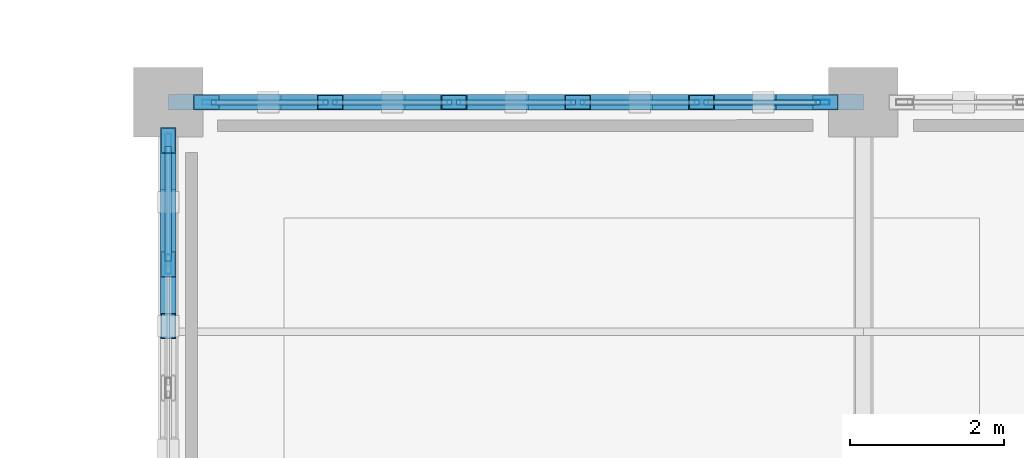
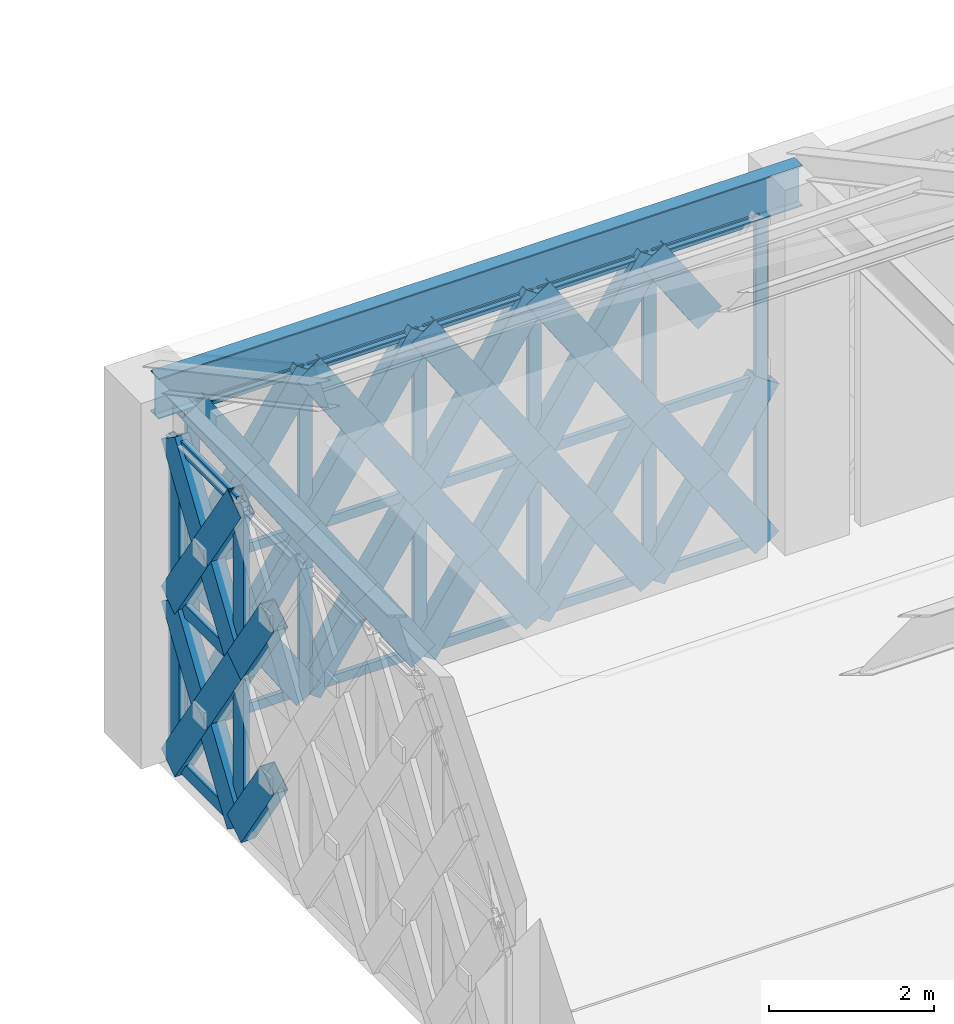
# One storey, part 60 of 166: 62 members, 1 beam, 2 elements without a shape of their own.
"""IFC4 building model written with IfcOpenShell, lengths in metres."""

from ifc_helpers import new_model, si_unit, direction, frame, origin, origin_2d, place, context, subcontext, project, spatial, hollow_rectangle, i_section, extrude, material, material_profile, profile_set, type_object, element, aggregate, save


model = new_model("IFC4")

# Units and contexts
model_context = context("Model", 3, precision=1e-05, world=origin(), true_north=direction((0.0, 1.0)))
body_context = subcontext(model_context, "Body", "Model", "MODEL_VIEW")
ifc_project = project(units=[si_unit("LENGTHUNIT", "METRE"), si_unit("AREAUNIT", "SQUARE_METRE"), si_unit("VOLUMEUNIT", "CUBIC_METRE"), si_unit("PLANEANGLEUNIT", "RADIAN"), si_unit("MASSUNIT", "GRAM", prefix="KILO")], contexts=[model_context])

# Site, building, storey
site_placement = place(None, origin())
site = spatial("IfcSite", under=ifc_project, at=site_placement, CompositionType="ELEMENT")
building_placement = place(site_placement, origin())
building = spatial("IfcBuilding", under=site, at=building_placement, Name="Haizhuo Lancet Aquarium", CompositionType="ELEMENT")
storey_placement = place(building_placement, frame((0.0, 0.0, 5.39990234375)))
storey = spatial("IfcBuildingStorey", under=building, at=storey_placement, Name="L01", CompositionType="ELEMENT", Elevation=5.39990234375)

# Beam
ifc_material_1 = material(Name="Steel S355", Category="steel")
ifc_material_profile_1 = material_profile(ifc_material_1, i_section(OverallWidth=0.199951171875, OverallDepth=0.60009765625, WebThickness=0.010986328125, FlangeThickness=0.01708984375, FilletRadius=0.02197265625, at=origin_2d()), Name="HN 600x200x11x17")
ifc_profile_set_1 = profile_set([ifc_material_profile_1], Name="Steel S355")
beam_type = type_object("IfcBeamType", Name="BM-ST-HN600", PredefinedType="BEAM", material=ifc_profile_set_1)
beam_placement = place(storey_placement, frame((-72.0, 27.0, 5.10009765625), z_axis=(1.0, 0.0, 0.0), x_axis=(0.0, 1.0, 0.0)))
element("IfcBeam", 1, at=beam_placement, inside=storey, type_object=beam_type, Name="L01 V2 primary girder BM-L01-V2-008", PredefinedType="BEAM", context=body_context, shape_type="SweptSolid", body=[
    extrude(i_section(OverallWidth=0.199951171875, OverallDepth=0.60009765625, WebThickness=0.010986328125, FlangeThickness=0.01708984375, FilletRadius=0.02197265625, at=origin_2d()), origin(), (0.0, 0.0, 1.0), 9.0),
])

# Curtain wall, members
ifc_material_2 = material(Name="Aluminium 6063-T6", Category="aluminium")
curtain_wall_type = type_object("IfcCurtainWallType", Name="CWD-8010x4800", PredefinedType="NOTDEFINED", material=ifc_material_2)
curtain_wall_1_placement = place(storey_placement, origin())
curtain_wall_1 = element("IfcCurtainWall", 2, at=curtain_wall_1_placement, inside=storey, type_object=curtain_wall_type, Name="L01 curtain wall CW-V2-L01-022", PredefinedType="NOTDEFINED")
ifc_material_profile_2 = material_profile(ifc_material_2, hollow_rectangle(XDim=0.06494140625, YDim=0.179931640625, WallThickness=0.00390625, at=origin_2d()), Name="ALU-M 65x180x4")
ifc_profile_set_2 = profile_set([ifc_material_profile_2], Name="Aluminium 6063-T6")
member_type_1 = type_object("IfcMemberType", Name="CW-MUL-1", PredefinedType="MULLION", material=ifc_profile_set_2)
member_1_placement = place(storey_placement, frame((-71.471923828125, 27.0, 0.0), z_axis=(0.0, 0.0, 1.0), x_axis=(0.0, 1.0, 0.0)))
member_1 = element("IfcMember", 3, at=member_1_placement, type_object=member_type_1, Name="CWD-80x48 mullion 1", PredefinedType="MULLION", context=body_context, shape_type="SweptSolid", body=[
    extrude(hollow_rectangle(XDim=0.06494140625, YDim=0.179931640625, WallThickness=0.00390625, at=origin_2d()), origin(), (0.0, 0.0, 1.0), 4.800048828125),
])
member_2_placement = place(storey_placement, frame((-69.903076171875, 27.0, 0.0), z_axis=(0.0, 0.0, 1.0), x_axis=(0.0, 1.0, 0.0)))
member_2 = element("IfcMember", 4, at=member_2_placement, type_object=member_type_1, Name="CWD-80x48 mullion 2", PredefinedType="MULLION", context=body_context, shape_type="SweptSolid", body=[
    extrude(hollow_rectangle(XDim=0.06494140625, YDim=0.179931640625, WallThickness=0.00390625, at=origin_2d()), origin(), (0.0, 0.0, 1.0), 4.800048828125),
])
member_3_placement = place(storey_placement, frame((-68.301025390625, 27.0, 0.0), z_axis=(0.0, 0.0, 1.0), x_axis=(0.0, 1.0, 0.0)))
member_3 = element("IfcMember", 5, at=member_3_placement, type_object=member_type_1, Name="CWD-80x48 mullion 3", PredefinedType="MULLION", context=body_context, shape_type="SweptSolid", body=[
    extrude(hollow_rectangle(XDim=0.06494140625, YDim=0.179931640625, WallThickness=0.00390625, at=origin_2d()), origin(), (0.0, 0.0, 1.0), 4.800048828125),
])
member_4_placement = place(storey_placement, frame((-66.698974609375, 27.0, 0.0), z_axis=(0.0, 0.0, 1.0), x_axis=(0.0, 1.0, 0.0)))
member_4 = element("IfcMember", 6, at=member_4_placement, type_object=member_type_1, Name="CWD-80x48 mullion 4", PredefinedType="MULLION", context=body_context, shape_type="SweptSolid", body=[
    extrude(hollow_rectangle(XDim=0.06494140625, YDim=0.179931640625, WallThickness=0.00390625, at=origin_2d()), origin(), (0.0, 0.0, 1.0), 4.800048828125),
])
member_5_placement = place(storey_placement, frame((-65.096923828125, 27.0, 0.0), z_axis=(0.0, 0.0, 1.0), x_axis=(0.0, 1.0, 0.0)))
member_5 = element("IfcMember", 7, at=member_5_placement, type_object=member_type_1, Name="CWD-80x48 mullion 5", PredefinedType="MULLION", context=body_context, shape_type="SweptSolid", body=[
    extrude(hollow_rectangle(XDim=0.06494140625, YDim=0.179931640625, WallThickness=0.00390625, at=origin_2d()), origin(), (0.0, 0.0, 1.0), 4.800048828125),
])
member_6_placement = place(storey_placement, frame((-63.527099609375, 27.0, 0.0), z_axis=(0.0, 0.0, 1.0), x_axis=(0.0, 1.0, 0.0)))
member_6 = element("IfcMember", 8, at=member_6_placement, type_object=member_type_1, Name="CWD-80x48 mullion 6", PredefinedType="MULLION", context=body_context, shape_type="SweptSolid", body=[
    extrude(hollow_rectangle(XDim=0.06494140625, YDim=0.179931640625, WallThickness=0.00390625, at=origin_2d()), origin(), (0.0, 0.0, 1.0), 4.800048828125),
])

curtain_wall_2_placement = place(storey_placement, origin())
curtain_wall_2 = element("IfcCurtainWall", 9, at=curtain_wall_2_placement, inside=storey, type_object=curtain_wall_type, Name="L01 curtain wall CW-V2-L01-021", PredefinedType="NOTDEFINED")
ifc_material_profile_3 = material_profile(ifc_material_2, hollow_rectangle(XDim=0.080078125, YDim=0.260009765625, WallThickness=0.0048828125, at=origin_2d()), Name="ALU-M 80x260x5")
ifc_profile_set_3 = profile_set([ifc_material_profile_3], Name="Aluminium 6063-T6")
member_type_2 = type_object("IfcMemberType", Name="CW-MUL-3", PredefinedType="MULLION", material=ifc_profile_set_3)
member_7_placement = place(storey_placement, frame((-72.0, 24.903076171875, 0.0), z_axis=(0.0, 0.0, 1.0), x_axis=(-1.0, 0.0, 0.0)))
member_7 = element("IfcMember", 10, at=member_7_placement, type_object=member_type_2, Name="CWD-80x48 mullion 5", PredefinedType="MULLION", context=body_context, shape_type="SweptSolid", body=[
    extrude(hollow_rectangle(XDim=0.080078125, YDim=0.260009765625, WallThickness=0.0048828125, at=origin_2d()), origin(), (0.0, 0.0, 1.0), 4.800048828125),
])
member_8_placement = place(storey_placement, frame((-72.0, 26.465087890625, 0.0), z_axis=(0.0, 0.0, 1.0), x_axis=(-1.0, 0.0, 0.0)))
member_8 = element("IfcMember", 11, at=member_8_placement, type_object=member_type_2, Name="CWD-80x48 mullion 6", PredefinedType="MULLION", context=body_context, shape_type="SweptSolid", body=[
    extrude(hollow_rectangle(XDim=0.080078125, YDim=0.260009765625, WallThickness=0.0048828125, at=origin_2d()), origin(), (0.0, 0.0, 1.0), 4.800048828125),
])

# Member
ifc_material_profile_4 = material_profile(ifc_material_2, hollow_rectangle(XDim=0.06494140625, YDim=0.139892578125, WallThickness=0.00390625, at=origin_2d()), Name="ALU-T 65x140x4")
ifc_profile_set_4 = profile_set([ifc_material_profile_4], Name="Aluminium 6063-T6")
member_type_3 = type_object("IfcMemberType", Name="CW-TRN-1", PredefinedType="NOTDEFINED", material=ifc_profile_set_4)
member_9_placement = place(storey_placement, frame((-71.43994140625, 27.0, 0.033203125), z_axis=(1.0, 0.0, 0.0), x_axis=(0.0, 1.0, 0.0)))
member_9 = element("IfcMember", 12, at=member_9_placement, type_object=member_type_3, Name="CWD-80x48 transom 1.1", ObjectType="TRANSOM", PredefinedType="USERDEFINED", context=body_context, shape_type="SweptSolid", body=[
    extrude(hollow_rectangle(XDim=0.06494140625, YDim=0.139892578125, WallThickness=0.00390625, at=origin_2d()), origin(), (0.0, 0.0, 1.0), 1.5048828125),
])

member_10_placement = place(storey_placement, frame((-71.43994140625, 27.0, 2.400146484375), z_axis=(1.0, 0.0, 0.0), x_axis=(0.0, 1.0, 0.0)))
member_10 = element("IfcMember", 13, at=member_10_placement, type_object=member_type_3, Name="CWD-80x48 transom 1.2", ObjectType="TRANSOM", PredefinedType="USERDEFINED", context=body_context, shape_type="SweptSolid", body=[
    extrude(hollow_rectangle(XDim=0.06494140625, YDim=0.139892578125, WallThickness=0.00390625, at=origin_2d()), origin(), (0.0, 0.0, 1.0), 1.5048828125),
])

member_11_placement = place(storey_placement, frame((-71.43994140625, 27.0, 4.76708984375), z_axis=(1.0, 0.0, 0.0), x_axis=(0.0, 1.0, 0.0)))
member_11 = element("IfcMember", 14, at=member_11_placement, type_object=member_type_3, Name="CWD-80x48 transom 1.3", ObjectType="TRANSOM", PredefinedType="USERDEFINED", context=body_context, shape_type="SweptSolid", body=[
    extrude(hollow_rectangle(XDim=0.06494140625, YDim=0.139892578125, WallThickness=0.00390625, at=origin_2d()), origin(), (0.0, 0.0, 1.0), 1.5048828125),
])

member_12_placement = place(storey_placement, frame((-69.8701171875, 27.0, 0.033203125), z_axis=(1.0, 0.0, 0.0), x_axis=(0.0, 1.0, 0.0)))
member_12 = element("IfcMember", 15, at=member_12_placement, type_object=member_type_3, Name="CWD-80x48 transom 2.1", ObjectType="TRANSOM", PredefinedType="USERDEFINED", context=body_context, shape_type="SweptSolid", body=[
    extrude(hollow_rectangle(XDim=0.06494140625, YDim=0.139892578125, WallThickness=0.00390625, at=origin_2d()), origin(), (0.0, 0.0, 1.0), 1.5361328125),
])

member_13_placement = place(storey_placement, frame((-69.8701171875, 27.0, 2.400146484375), z_axis=(1.0, 0.0, 0.0), x_axis=(0.0, 1.0, 0.0)))
member_13 = element("IfcMember", 16, at=member_13_placement, type_object=member_type_3, Name="CWD-80x48 transom 2.2", ObjectType="TRANSOM", PredefinedType="USERDEFINED", context=body_context, shape_type="SweptSolid", body=[
    extrude(hollow_rectangle(XDim=0.06494140625, YDim=0.139892578125, WallThickness=0.00390625, at=origin_2d()), origin(), (0.0, 0.0, 1.0), 1.5361328125),
])

member_14_placement = place(storey_placement, frame((-69.8701171875, 27.0, 4.76708984375), z_axis=(1.0, 0.0, 0.0), x_axis=(0.0, 1.0, 0.0)))
member_14 = element("IfcMember", 17, at=member_14_placement, type_object=member_type_3, Name="CWD-80x48 transom 2.3", ObjectType="TRANSOM", PredefinedType="USERDEFINED", context=body_context, shape_type="SweptSolid", body=[
    extrude(hollow_rectangle(XDim=0.06494140625, YDim=0.139892578125, WallThickness=0.00390625, at=origin_2d()), origin(), (0.0, 0.0, 1.0), 1.5361328125),
])

member_15_placement = place(storey_placement, frame((-68.26806640625, 27.0, 0.033203125), z_axis=(1.0, 0.0, 0.0), x_axis=(0.0, 1.0, 0.0)))
member_15 = element("IfcMember", 18, at=member_15_placement, type_object=member_type_3, Name="CWD-80x48 transom 3.1", ObjectType="TRANSOM", PredefinedType="USERDEFINED", context=body_context, shape_type="SweptSolid", body=[
    extrude(hollow_rectangle(XDim=0.06494140625, YDim=0.139892578125, WallThickness=0.00390625, at=origin_2d()), origin(), (0.0, 0.0, 1.0), 1.537109375),
])

member_16_placement = place(storey_placement, frame((-68.26806640625, 27.0, 2.400146484375), z_axis=(1.0, 0.0, 0.0), x_axis=(0.0, 1.0, 0.0)))
member_16 = element("IfcMember", 19, at=member_16_placement, type_object=member_type_3, Name="CWD-80x48 transom 3.2", ObjectType="TRANSOM", PredefinedType="USERDEFINED", context=body_context, shape_type="SweptSolid", body=[
    extrude(hollow_rectangle(XDim=0.06494140625, YDim=0.139892578125, WallThickness=0.00390625, at=origin_2d()), origin(), (0.0, 0.0, 1.0), 1.537109375),
])

member_17_placement = place(storey_placement, frame((-68.26806640625, 27.0, 4.76708984375), z_axis=(1.0, 0.0, 0.0), x_axis=(0.0, 1.0, 0.0)))
member_17 = element("IfcMember", 20, at=member_17_placement, type_object=member_type_3, Name="CWD-80x48 transom 3.3", ObjectType="TRANSOM", PredefinedType="USERDEFINED", context=body_context, shape_type="SweptSolid", body=[
    extrude(hollow_rectangle(XDim=0.06494140625, YDim=0.139892578125, WallThickness=0.00390625, at=origin_2d()), origin(), (0.0, 0.0, 1.0), 1.537109375),
])

member_18_placement = place(storey_placement, frame((-66.666015625, 27.0, 0.033203125), z_axis=(1.0, 0.0, 0.0), x_axis=(0.0, 1.0, 0.0)))
member_18 = element("IfcMember", 21, at=member_18_placement, type_object=member_type_3, Name="CWD-80x48 transom 4.1", ObjectType="TRANSOM", PredefinedType="USERDEFINED", context=body_context, shape_type="SweptSolid", body=[
    extrude(hollow_rectangle(XDim=0.06494140625, YDim=0.139892578125, WallThickness=0.00390625, at=origin_2d()), origin(), (0.0, 0.0, 1.0), 1.537109375),
])

member_19_placement = place(storey_placement, frame((-66.666015625, 27.0, 2.400146484375), z_axis=(1.0, 0.0, 0.0), x_axis=(0.0, 1.0, 0.0)))
member_19 = element("IfcMember", 22, at=member_19_placement, type_object=member_type_3, Name="CWD-80x48 transom 4.2", ObjectType="TRANSOM", PredefinedType="USERDEFINED", context=body_context, shape_type="SweptSolid", body=[
    extrude(hollow_rectangle(XDim=0.06494140625, YDim=0.139892578125, WallThickness=0.00390625, at=origin_2d()), origin(), (0.0, 0.0, 1.0), 1.537109375),
])

member_20_placement = place(storey_placement, frame((-66.666015625, 27.0, 4.76708984375), z_axis=(1.0, 0.0, 0.0), x_axis=(0.0, 1.0, 0.0)))
member_20 = element("IfcMember", 23, at=member_20_placement, type_object=member_type_3, Name="CWD-80x48 transom 4.3", ObjectType="TRANSOM", PredefinedType="USERDEFINED", context=body_context, shape_type="SweptSolid", body=[
    extrude(hollow_rectangle(XDim=0.06494140625, YDim=0.139892578125, WallThickness=0.00390625, at=origin_2d()), origin(), (0.0, 0.0, 1.0), 1.537109375),
])

member_21_placement = place(storey_placement, frame((-65.06396484375, 27.0, 0.033203125), z_axis=(1.0, 0.0, 0.0), x_axis=(0.0, 1.0, 0.0)))
member_21 = element("IfcMember", 24, at=member_21_placement, type_object=member_type_3, Name="CWD-80x48 transom 5.1", ObjectType="TRANSOM", PredefinedType="USERDEFINED", context=body_context, shape_type="SweptSolid", body=[
    extrude(hollow_rectangle(XDim=0.06494140625, YDim=0.139892578125, WallThickness=0.00390625, at=origin_2d()), origin(), (0.0, 0.0, 1.0), 1.50390625),
])

member_22_placement = place(storey_placement, frame((-65.06396484375, 27.0, 2.400146484375), z_axis=(1.0, 0.0, 0.0), x_axis=(0.0, 1.0, 0.0)))
member_22 = element("IfcMember", 25, at=member_22_placement, type_object=member_type_3, Name="CWD-80x48 transom 5.2", ObjectType="TRANSOM", PredefinedType="USERDEFINED", context=body_context, shape_type="SweptSolid", body=[
    extrude(hollow_rectangle(XDim=0.06494140625, YDim=0.139892578125, WallThickness=0.00390625, at=origin_2d()), origin(), (0.0, 0.0, 1.0), 1.50390625),
])

member_23_placement = place(storey_placement, frame((-65.06396484375, 27.0, 4.76708984375), z_axis=(1.0, 0.0, 0.0), x_axis=(0.0, 1.0, 0.0)))
member_23 = element("IfcMember", 26, at=member_23_placement, type_object=member_type_3, Name="CWD-80x48 transom 5.3", ObjectType="TRANSOM", PredefinedType="USERDEFINED", context=body_context, shape_type="SweptSolid", body=[
    extrude(hollow_rectangle(XDim=0.06494140625, YDim=0.139892578125, WallThickness=0.00390625, at=origin_2d()), origin(), (0.0, 0.0, 1.0), 1.50390625),
])

aggregate(curtain_wall_1, [member_1, member_2, member_3, member_4, member_5, member_6, member_9, member_10, member_11, member_12, member_13, member_14, member_15, member_16, member_17, member_18, member_19, member_20, member_21, member_22, member_23])

ifc_material_profile_5 = material_profile(ifc_material_2, hollow_rectangle(XDim=0.080078125, YDim=0.18994140625, WallThickness=0.0048828125, at=origin_2d()), Name="ALU-T 80x190x5")
ifc_profile_set_5 = profile_set([ifc_material_profile_5], Name="Aluminium 6063-T6")
member_type_4 = type_object("IfcMemberType", Name="CW-TRN-3", PredefinedType="NOTDEFINED", material=ifc_profile_set_5)
member_24_placement = place(storey_placement, frame((-72.0, 24.943115234375, 0.0400390625), z_axis=(0.0, 1.0, 0.0), x_axis=(-1.0, 0.0, 0.0)))
member_24 = element("IfcMember", 27, at=member_24_placement, type_object=member_type_4, Name="CWD-80x48 transom 5.1", ObjectType="TRANSOM", PredefinedType="USERDEFINED", context=body_context, shape_type="SweptSolid", body=[
    extrude(hollow_rectangle(XDim=0.080078125, YDim=0.18994140625, WallThickness=0.0048828125, at=origin_2d()), origin(), (0.0, 0.0, 1.0), 1.48193359375),
])

member_25_placement = place(storey_placement, frame((-72.0, 24.943115234375, 2.400146484375), z_axis=(0.0, 1.0, 0.0), x_axis=(-1.0, 0.0, 0.0)))
member_25 = element("IfcMember", 28, at=member_25_placement, type_object=member_type_4, Name="CWD-80x48 transom 5.2", ObjectType="TRANSOM", PredefinedType="USERDEFINED", context=body_context, shape_type="SweptSolid", body=[
    extrude(hollow_rectangle(XDim=0.080078125, YDim=0.18994140625, WallThickness=0.0048828125, at=origin_2d()), origin(), (0.0, 0.0, 1.0), 1.48193359375),
])

member_26_placement = place(storey_placement, frame((-72.0, 24.943115234375, 4.760009765625), z_axis=(0.0, 1.0, 0.0), x_axis=(-1.0, 0.0, 0.0)))
member_26 = element("IfcMember", 29, at=member_26_placement, type_object=member_type_4, Name="CWD-80x48 transom 5.3", ObjectType="TRANSOM", PredefinedType="USERDEFINED", context=body_context, shape_type="SweptSolid", body=[
    extrude(hollow_rectangle(XDim=0.080078125, YDim=0.18994140625, WallThickness=0.0048828125, at=origin_2d()), origin(), (0.0, 0.0, 1.0), 1.48193359375),
])

aggregate(curtain_wall_2, [member_7, member_8, member_24, member_25, member_26])

# Members
ifc_material_profile_6 = material_profile(ifc_material_1, hollow_rectangle(XDim=0.199951171875, YDim=0.39990234375, WallThickness=0.011962890625, at=origin_2d()), Name="RHS 200x400x12")
ifc_profile_set_6 = profile_set([ifc_material_profile_6], Name="Steel S355")
member_type_5 = type_object("IfcMemberType", Name="MEM-LB-RHS200x400", PredefinedType="BRACE", material=ifc_profile_set_6)
member_27_placement = place(storey_placement, frame((-72.0, 24.903076171875, 0.0), z_axis=(0.0, -0.555129617962, 0.831763853063), x_axis=(1.0, 0.0, 0.0)))
element("IfcMember", 30, at=member_27_placement, inside=storey, type_object=member_type_5, Name="Gothic lancet split diagonal brace CW-V2-L01-021 7B1", PredefinedType="BRACE", context=body_context, shape_type="SweptSolid", body=[
    extrude(hollow_rectangle(XDim=0.199951171875, YDim=0.39990234375, WallThickness=0.011962890625, at=origin_2d()), origin(), (0.0, 0.0, 1.0), 1.44287109375),
])
member_28_placement = place(storey_placement, frame((-72.0, 24.903076171875, 2.400146484375), z_axis=(0.0, -0.555207750173, 0.831711701341), x_axis=(1.0, 0.0, 0.0)))
element("IfcMember", 31, at=member_28_placement, inside=storey, type_object=member_type_5, Name="Gothic lancet split diagonal brace CW-V2-L01-021 8B1", PredefinedType="BRACE", context=body_context, shape_type="SweptSolid", body=[
    extrude(hollow_rectangle(XDim=0.199951171875, YDim=0.39990234375, WallThickness=0.011962890625, at=origin_2d()), origin(), (0.0, 0.0, 1.0), 1.442626953125),
])
member_29_placement = place(storey_placement, frame((-72.0, 24.903076171875, 0.0), z_axis=(0.0, 0.555110150089, 0.831776845835), x_axis=(-1.0, 0.0, 0.0)))
element("IfcMember", 32, at=member_29_placement, inside=storey, type_object=member_type_5, Name="Gothic lancet continuous diagonal brace CW-V2-L01-021 9A", PredefinedType="BRACE", context=body_context, shape_type="SweptSolid", body=[
    extrude(hollow_rectangle(XDim=0.199951171875, YDim=0.39990234375, WallThickness=0.011962890625, at=origin_2d()), origin(), (0.0, 0.0, 1.0), 2.885498046875),
])
member_30_placement = place(storey_placement, frame((-72.0, 26.5048828125, 0.0), z_axis=(0.0, -0.555012546931, 0.831841975828), x_axis=(1.0, 0.0, 0.0)))
element("IfcMember", 33, at=member_30_placement, inside=storey, type_object=member_type_5, Name="Gothic lancet split diagonal brace CW-V2-L01-021 9B1", PredefinedType="BRACE", context=body_context, shape_type="SweptSolid", body=[
    extrude(hollow_rectangle(XDim=0.199951171875, YDim=0.39990234375, WallThickness=0.011962890625, at=origin_2d()), origin(), (0.0, 0.0, 1.0), 1.44287109375),
])
member_31_placement = place(storey_placement, frame((-72.0, 25.7041015625, 1.2001953125), z_axis=(0.0, -0.555207750173, 0.831711701341), x_axis=(1.0, 0.0, 0.0)))
element("IfcMember", 34, at=member_31_placement, inside=storey, type_object=member_type_5, Name="Gothic lancet split diagonal brace CW-V2-L01-021 9B2", PredefinedType="BRACE", context=body_context, shape_type="SweptSolid", body=[
    extrude(hollow_rectangle(XDim=0.199951171875, YDim=0.39990234375, WallThickness=0.011962890625, at=origin_2d()), origin(), (0.0, 0.0, 1.0), 1.442626953125),
])
member_32_placement = place(storey_placement, frame((-72.0, 24.903076171875, 2.400146484375), z_axis=(0.0, 0.555149217883, 0.831750771496), x_axis=(-1.0, 0.0, 0.0)))
element("IfcMember", 35, at=member_32_placement, inside=storey, type_object=member_type_5, Name="Gothic lancet continuous diagonal brace CW-V2-L01-021 10A", PredefinedType="BRACE", context=body_context, shape_type="SweptSolid", body=[
    extrude(hollow_rectangle(XDim=0.199951171875, YDim=0.39990234375, WallThickness=0.011962890625, at=origin_2d()), origin(), (0.0, 0.0, 1.0), 2.88525390625),
])
for number, where, z_axis, x_axis, name in (
    (36, (-72.0, 26.5048828125, 2.400146484375), (0.0, -0.555090677343, 0.831789841202), (1.0, 0.0, 0.0), "Gothic lancet split diagonal brace CW-V2-L01-021 10B1"),
    (37, (-72.0, 25.7041015625, 3.60009765625), (0.0, -0.555207750173, 0.831711701341), (1.0, 0.0, 0.0), "Gothic lancet split diagonal brace CW-V2-L01-021 10B2"),
):
    element("IfcMember", number, at=place(storey_placement, frame(where, z_axis=z_axis, x_axis=x_axis)), inside=storey, type_object=member_type_5, Name=name, PredefinedType="BRACE", context=body_context, shape_type="SweptSolid", body=[
        extrude(hollow_rectangle(XDim=0.199951171875, YDim=0.39990234375, WallThickness=0.011962890625, at=origin_2d()), origin(), (0.0, 0.0, 1.0), 1.442626953125),
    ])
member_33_placement = place(storey_placement, frame((-71.5048828125, 27.0, 0.0), z_axis=(0.555110150089, 0.0, 0.831776845835), x_axis=(0.0, 1.0, 0.0)))
element("IfcMember", 38, at=member_33_placement, inside=storey, type_object=member_type_5, Name="Gothic lancet continuous diagonal brace CW-V2-L01-022 1A", PredefinedType="BRACE", context=body_context, shape_type="SweptSolid", body=[
    extrude(hollow_rectangle(XDim=0.199951171875, YDim=0.39990234375, WallThickness=0.011962890625, at=origin_2d()), origin(), (0.0, 0.0, 1.0), 2.885498046875),
])
member_34_placement = place(storey_placement, frame((-69.903076171875, 27.0, 0.0), z_axis=(-0.555129617962, 0.0, 0.831763853063), x_axis=(0.0, -1.0, 0.0)))
element("IfcMember", 39, at=member_34_placement, inside=storey, type_object=member_type_5, Name="Gothic lancet split diagonal brace CW-V2-L01-022 1B1", PredefinedType="BRACE", context=body_context, shape_type="SweptSolid", body=[
    extrude(hollow_rectangle(XDim=0.199951171875, YDim=0.39990234375, WallThickness=0.011962890625, at=origin_2d()), origin(), (0.0, 0.0, 1.0), 1.44287109375),
])
member_35_placement = place(storey_placement, frame((-70.7041015625, 27.0, 1.2001953125), z_axis=(-0.555090677343, 0.0, 0.831789841202), x_axis=(0.0, -1.0, 0.0)))
element("IfcMember", 40, at=member_35_placement, inside=storey, type_object=member_type_5, Name="Gothic lancet split diagonal brace CW-V2-L01-022 1B2", PredefinedType="BRACE", context=body_context, shape_type="SweptSolid", body=[
    extrude(hollow_rectangle(XDim=0.199951171875, YDim=0.39990234375, WallThickness=0.011962890625, at=origin_2d()), origin(), (0.0, 0.0, 1.0), 1.442626953125),
])
member_36_placement = place(storey_placement, frame((-71.5048828125, 27.0, 2.400146484375), z_axis=(0.555149217883, 0.0, 0.831750771496), x_axis=(0.0, 1.0, 0.0)))
element("IfcMember", 41, at=member_36_placement, inside=storey, type_object=member_type_5, Name="Gothic lancet continuous diagonal brace CW-V2-L01-022 2A", PredefinedType="BRACE", context=body_context, shape_type="SweptSolid", body=[
    extrude(hollow_rectangle(XDim=0.199951171875, YDim=0.39990234375, WallThickness=0.011962890625, at=origin_2d()), origin(), (0.0, 0.0, 1.0), 2.88525390625),
])
for number, where, z_axis, x_axis, name in (
    (42, (-69.903076171875, 27.0, 2.400146484375), (-0.555207750173, 0.0, 0.831711701341), (0.0, -1.0, 0.0), "Gothic lancet split diagonal brace CW-V2-L01-022 2B1"),
    (43, (-70.7041015625, 27.0, 3.60009765625), (-0.555090677343, 0.0, 0.831789841202), (0.0, -1.0, 0.0), "Gothic lancet split diagonal brace CW-V2-L01-022 2B2"),
):
    element("IfcMember", number, at=place(storey_placement, frame(where, z_axis=z_axis, x_axis=x_axis)), inside=storey, type_object=member_type_5, Name=name, PredefinedType="BRACE", context=body_context, shape_type="SweptSolid", body=[
        extrude(hollow_rectangle(XDim=0.199951171875, YDim=0.39990234375, WallThickness=0.011962890625, at=origin_2d()), origin(), (0.0, 0.0, 1.0), 1.442626953125),
    ])
member_37_placement = place(storey_placement, frame((-69.903076171875, 27.0, 0.0), z_axis=(0.555168681931, 0.0, 0.831737779954), x_axis=(0.0, 1.0, 0.0)))
element("IfcMember", 44, at=member_37_placement, inside=storey, type_object=member_type_5, Name="Gothic lancet continuous diagonal brace CW-V2-L01-022 3A", PredefinedType="BRACE", context=body_context, shape_type="SweptSolid", body=[
    extrude(hollow_rectangle(XDim=0.199951171875, YDim=0.39990234375, WallThickness=0.011962890625, at=origin_2d()), origin(), (0.0, 0.0, 1.0), 2.8857421875),
])
member_38_placement = place(storey_placement, frame((-68.301025390625, 27.0, 0.0), z_axis=(-0.555129617962, 0.0, 0.831763853063), x_axis=(0.0, -1.0, 0.0)))
element("IfcMember", 45, at=member_38_placement, inside=storey, type_object=member_type_5, Name="Gothic lancet split diagonal brace CW-V2-L01-022 3B1", PredefinedType="BRACE", context=body_context, shape_type="SweptSolid", body=[
    extrude(hollow_rectangle(XDim=0.199951171875, YDim=0.39990234375, WallThickness=0.011962890625, at=origin_2d()), origin(), (0.0, 0.0, 1.0), 1.44287109375),
])
member_39_placement = place(storey_placement, frame((-69.10205078125, 27.0, 1.2001953125), z_axis=(-0.555207750173, 0.0, 0.831711701341), x_axis=(0.0, -1.0, 0.0)))
element("IfcMember", 46, at=member_39_placement, inside=storey, type_object=member_type_5, Name="Gothic lancet split diagonal brace CW-V2-L01-022 3B2", PredefinedType="BRACE", context=body_context, shape_type="SweptSolid", body=[
    extrude(hollow_rectangle(XDim=0.199951171875, YDim=0.39990234375, WallThickness=0.011962890625, at=origin_2d()), origin(), (0.0, 0.0, 1.0), 1.442626953125),
])
member_40_placement = place(storey_placement, frame((-69.903076171875, 27.0, 2.400146484375), z_axis=(0.555207750173, 0.0, 0.831711701341), x_axis=(0.0, 1.0, 0.0)))
element("IfcMember", 47, at=member_40_placement, inside=storey, type_object=member_type_5, Name="Gothic lancet continuous diagonal brace CW-V2-L01-022 4A", PredefinedType="BRACE", context=body_context, shape_type="SweptSolid", body=[
    extrude(hollow_rectangle(XDim=0.199951171875, YDim=0.39990234375, WallThickness=0.011962890625, at=origin_2d()), origin(), (0.0, 0.0, 1.0), 2.885498046875),
])
for number, where, z_axis, x_axis, name in (
    (48, (-68.301025390625, 27.0, 2.400146484375), (-0.555207750173, 0.0, 0.831711701341), (0.0, -1.0, 0.0), "Gothic lancet split diagonal brace CW-V2-L01-022 4B1"),
    (49, (-69.10205078125, 27.0, 3.60009765625), (-0.555207750173, 0.0, 0.831711701341), (0.0, -1.0, 0.0), "Gothic lancet split diagonal brace CW-V2-L01-022 4B2"),
):
    element("IfcMember", number, at=place(storey_placement, frame(where, z_axis=z_axis, x_axis=x_axis)), inside=storey, type_object=member_type_5, Name=name, PredefinedType="BRACE", context=body_context, shape_type="SweptSolid", body=[
        extrude(hollow_rectangle(XDim=0.199951171875, YDim=0.39990234375, WallThickness=0.011962890625, at=origin_2d()), origin(), (0.0, 0.0, 1.0), 1.442626953125),
    ])
member_41_placement = place(storey_placement, frame((-68.301025390625, 27.0, 0.0), z_axis=(0.555168681931, 0.0, 0.831737779954), x_axis=(0.0, 1.0, 0.0)))
element("IfcMember", 50, at=member_41_placement, inside=storey, type_object=member_type_5, Name="Gothic lancet continuous diagonal brace CW-V2-L01-022 5A", PredefinedType="BRACE", context=body_context, shape_type="SweptSolid", body=[
    extrude(hollow_rectangle(XDim=0.199951171875, YDim=0.39990234375, WallThickness=0.011962890625, at=origin_2d()), origin(), (0.0, 0.0, 1.0), 2.8857421875),
])
member_42_placement = place(storey_placement, frame((-66.698974609375, 27.0, 0.0), z_axis=(-0.555129617962, 0.0, 0.831763853063), x_axis=(0.0, -1.0, 0.0)))
element("IfcMember", 51, at=member_42_placement, inside=storey, type_object=member_type_5, Name="Gothic lancet split diagonal brace CW-V2-L01-022 5B1", PredefinedType="BRACE", context=body_context, shape_type="SweptSolid", body=[
    extrude(hollow_rectangle(XDim=0.199951171875, YDim=0.39990234375, WallThickness=0.011962890625, at=origin_2d()), origin(), (0.0, 0.0, 1.0), 1.44287109375),
])
member_43_placement = place(storey_placement, frame((-67.5, 27.0, 1.2001953125), z_axis=(-0.555207750173, 0.0, 0.831711701341), x_axis=(0.0, -1.0, 0.0)))
element("IfcMember", 52, at=member_43_placement, inside=storey, type_object=member_type_5, Name="Gothic lancet split diagonal brace CW-V2-L01-022 5B2", PredefinedType="BRACE", context=body_context, shape_type="SweptSolid", body=[
    extrude(hollow_rectangle(XDim=0.199951171875, YDim=0.39990234375, WallThickness=0.011962890625, at=origin_2d()), origin(), (0.0, 0.0, 1.0), 1.442626953125),
])
member_44_placement = place(storey_placement, frame((-68.301025390625, 27.0, 2.400146484375), z_axis=(0.555207750173, 0.0, 0.831711701341), x_axis=(0.0, 1.0, 0.0)))
element("IfcMember", 53, at=member_44_placement, inside=storey, type_object=member_type_5, Name="Gothic lancet continuous diagonal brace CW-V2-L01-022 6A", PredefinedType="BRACE", context=body_context, shape_type="SweptSolid", body=[
    extrude(hollow_rectangle(XDim=0.199951171875, YDim=0.39990234375, WallThickness=0.011962890625, at=origin_2d()), origin(), (0.0, 0.0, 1.0), 2.885498046875),
])
for number, where, z_axis, x_axis, name in (
    (54, (-66.698974609375, 27.0, 2.400146484375), (-0.555207750173, 0.0, 0.831711701341), (0.0, -1.0, 0.0), "Gothic lancet split diagonal brace CW-V2-L01-022 6B1"),
    (55, (-67.5, 27.0, 3.60009765625), (-0.555207750173, 0.0, 0.831711701341), (0.0, -1.0, 0.0), "Gothic lancet split diagonal brace CW-V2-L01-022 6B2"),
):
    element("IfcMember", number, at=place(storey_placement, frame(where, z_axis=z_axis, x_axis=x_axis)), inside=storey, type_object=member_type_5, Name=name, PredefinedType="BRACE", context=body_context, shape_type="SweptSolid", body=[
        extrude(hollow_rectangle(XDim=0.199951171875, YDim=0.39990234375, WallThickness=0.011962890625, at=origin_2d()), origin(), (0.0, 0.0, 1.0), 1.442626953125),
    ])
member_45_placement = place(storey_placement, frame((-66.698974609375, 27.0, 0.0), z_axis=(0.555168681931, 0.0, 0.831737779954), x_axis=(0.0, 1.0, 0.0)))
element("IfcMember", 56, at=member_45_placement, inside=storey, type_object=member_type_5, Name="Gothic lancet continuous diagonal brace CW-V2-L01-022 7A", PredefinedType="BRACE", context=body_context, shape_type="SweptSolid", body=[
    extrude(hollow_rectangle(XDim=0.199951171875, YDim=0.39990234375, WallThickness=0.011962890625, at=origin_2d()), origin(), (0.0, 0.0, 1.0), 2.8857421875),
])
member_46_placement = place(storey_placement, frame((-65.096923828125, 27.0, 0.0), z_axis=(-0.555129617962, 0.0, 0.831763853063), x_axis=(0.0, -1.0, 0.0)))
element("IfcMember", 57, at=member_46_placement, inside=storey, type_object=member_type_5, Name="Gothic lancet split diagonal brace CW-V2-L01-022 7B1", PredefinedType="BRACE", context=body_context, shape_type="SweptSolid", body=[
    extrude(hollow_rectangle(XDim=0.199951171875, YDim=0.39990234375, WallThickness=0.011962890625, at=origin_2d()), origin(), (0.0, 0.0, 1.0), 1.44287109375),
])
member_47_placement = place(storey_placement, frame((-65.89794921875, 27.0, 1.2001953125), z_axis=(-0.555207750173, 0.0, 0.831711701341), x_axis=(0.0, -1.0, 0.0)))
element("IfcMember", 58, at=member_47_placement, inside=storey, type_object=member_type_5, Name="Gothic lancet split diagonal brace CW-V2-L01-022 7B2", PredefinedType="BRACE", context=body_context, shape_type="SweptSolid", body=[
    extrude(hollow_rectangle(XDim=0.199951171875, YDim=0.39990234375, WallThickness=0.011962890625, at=origin_2d()), origin(), (0.0, 0.0, 1.0), 1.442626953125),
])
member_48_placement = place(storey_placement, frame((-66.698974609375, 27.0, 2.400146484375), z_axis=(0.555207750173, 0.0, 0.831711701341), x_axis=(0.0, 1.0, 0.0)))
element("IfcMember", 59, at=member_48_placement, inside=storey, type_object=member_type_5, Name="Gothic lancet continuous diagonal brace CW-V2-L01-022 8A", PredefinedType="BRACE", context=body_context, shape_type="SweptSolid", body=[
    extrude(hollow_rectangle(XDim=0.199951171875, YDim=0.39990234375, WallThickness=0.011962890625, at=origin_2d()), origin(), (0.0, 0.0, 1.0), 2.885498046875),
])
for number, where, z_axis, x_axis, name in (
    (60, (-65.096923828125, 27.0, 2.400146484375), (-0.555207750173, 0.0, 0.831711701341), (0.0, -1.0, 0.0), "Gothic lancet split diagonal brace CW-V2-L01-022 8B1"),
    (61, (-65.89794921875, 27.0, 3.60009765625), (-0.555207750173, 0.0, 0.831711701341), (0.0, -1.0, 0.0), "Gothic lancet split diagonal brace CW-V2-L01-022 8B2"),
):
    element("IfcMember", number, at=place(storey_placement, frame(where, z_axis=z_axis, x_axis=x_axis)), inside=storey, type_object=member_type_5, Name=name, PredefinedType="BRACE", context=body_context, shape_type="SweptSolid", body=[
        extrude(hollow_rectangle(XDim=0.199951171875, YDim=0.39990234375, WallThickness=0.011962890625, at=origin_2d()), origin(), (0.0, 0.0, 1.0), 1.442626953125),
    ])
member_49_placement = place(storey_placement, frame((-65.096923828125, 27.0, 0.0), z_axis=(0.555110150089, 0.0, 0.831776845835), x_axis=(0.0, 1.0, 0.0)))
element("IfcMember", 62, at=member_49_placement, inside=storey, type_object=member_type_5, Name="Gothic lancet continuous diagonal brace CW-V2-L01-022 9A", PredefinedType="BRACE", context=body_context, shape_type="SweptSolid", body=[
    extrude(hollow_rectangle(XDim=0.199951171875, YDim=0.39990234375, WallThickness=0.011962890625, at=origin_2d()), origin(), (0.0, 0.0, 1.0), 2.885498046875),
])
member_50_placement = place(storey_placement, frame((-63.4951171875, 27.0, 0.0), z_axis=(-0.555012546931, 0.0, 0.831841975828), x_axis=(0.0, -1.0, 0.0)))
element("IfcMember", 63, at=member_50_placement, inside=storey, type_object=member_type_5, Name="Gothic lancet split diagonal brace CW-V2-L01-022 9B1", PredefinedType="BRACE", context=body_context, shape_type="SweptSolid", body=[
    extrude(hollow_rectangle(XDim=0.199951171875, YDim=0.39990234375, WallThickness=0.011962890625, at=origin_2d()), origin(), (0.0, 0.0, 1.0), 1.44287109375),
])
for number, where, z_axis, x_axis, name in (
    (64, (-64.2958984375, 27.0, 1.2001953125), (-0.555207750173, 0.0, 0.831711701341), (0.0, -1.0, 0.0), "Gothic lancet split diagonal brace CW-V2-L01-022 9B2"),
    (65, (-64.2958984375, 27.0, 3.60009765625), (-0.555207750173, 0.0, 0.831711701341), (0.0, -1.0, 0.0), "Gothic lancet split diagonal brace CW-V2-L01-022 10B2"),
):
    element("IfcMember", number, at=place(storey_placement, frame(where, z_axis=z_axis, x_axis=x_axis)), inside=storey, type_object=member_type_5, Name=name, PredefinedType="BRACE", context=body_context, shape_type="SweptSolid", body=[
        extrude(hollow_rectangle(XDim=0.199951171875, YDim=0.39990234375, WallThickness=0.011962890625, at=origin_2d()), origin(), (0.0, 0.0, 1.0), 1.442626953125),
    ])

save(model, "model.ifc")
